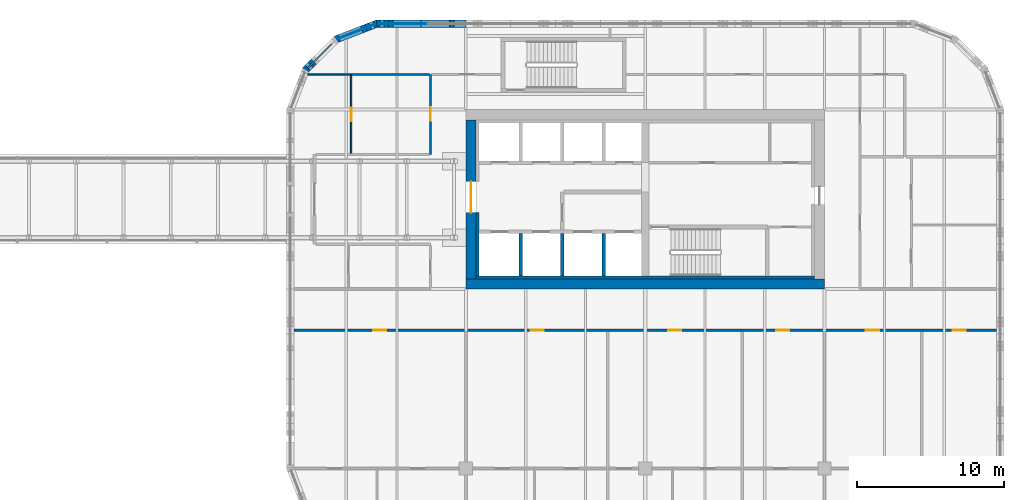
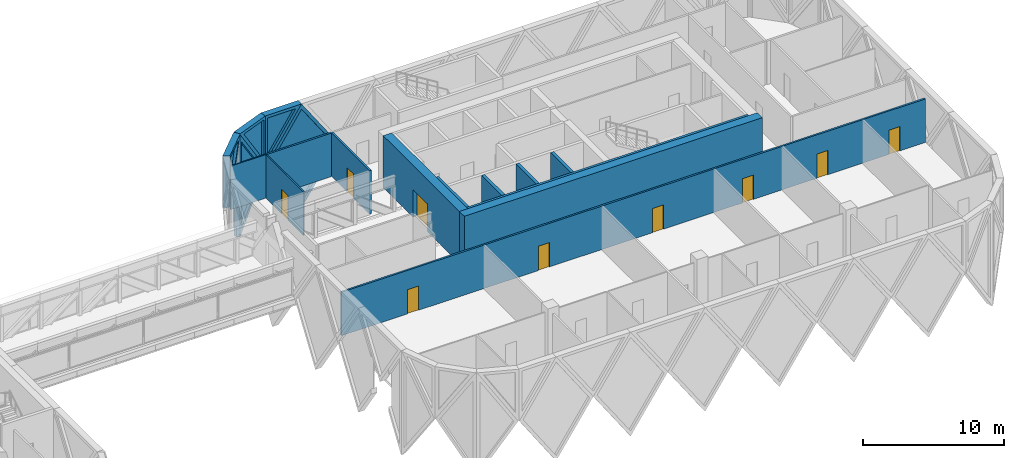
# One storey, part 23 of 30: 17 walls, 9 doors, 5 plates, 14 openings.
"""IFC4 building model written with IfcOpenShell, lengths in metres."""

import ifcopenshell
import ifcopenshell.guid

model = None  # the IFC model being written
_history = None  # IfcOwnerHistory: only IFC2X3 demands one
_inside = {}  # id of a spatial element -> (the spatial element, [elements in it])
_under = {}  # id of a project, library or spatial element -> (it, [spatial elements below it])
_declared = {}  # id of a project -> (the project, [libraries it declares])
_typed = {}  # id of a type object -> (the type object, [elements of that type])
_made_of = {}  # id of a material, layer set ... -> (it, [elements and type objects made of it])


def new_model(schema):
    """Start an empty IFC model of exactly this schema.

    Asked for "IFC4X3", IfcOpenShell would pick the latest addendum, in which some entities
    have other attributes; the version numbers below select the first issue.
    IFC2X3 requires an IfcOwnerHistory on every rooted entity: one is made here for all.
    """
    global model, _history
    if schema == "IFC4X3":
        model = ifcopenshell.file(schema_version=(4, 3, 0, 0))
    else:
        model = ifcopenshell.file(schema=schema)
    _inside.clear()
    _under.clear()
    _declared.clear()
    _typed.clear()
    _made_of.clear()
    _history = None
    if model.schema == "IFC2X3":
        org = make("IfcOrganization", Name="unknown")
        user = make(
            "IfcPersonAndOrganization",
            ThePerson=make("IfcPerson", FamilyName="unknown"),
            TheOrganization=org,
        )
        app = make(
            "IfcApplication",
            ApplicationDeveloper=org,
            Version="unknown",
            ApplicationFullName="unknown",
            ApplicationIdentifier="unknown",
        )
        _history = make(
            "IfcOwnerHistory",
            OwningUser=user,
            OwningApplication=app,
            ChangeAction="ADDED",
            CreationDate=0,
        )
    return model


def make(cls, **values):
    """One entity of the class cls with the attributes given. An attribute that is None is left unset."""
    return model.create_entity(
        cls, **{name: value for name, value in values.items() if value is not None}
    )


def rooted(cls, **values):
    """An entity with a GlobalId (a new one), such as an element, a storey or a relation."""
    return make(cls, GlobalId=ifcopenshell.guid.new(), OwnerHistory=_history, **values)


def si_unit(unit_type, name, prefix=None):
    """IfcSIUnit, for example si_unit("LENGTHUNIT", "METRE", prefix="MILLI")."""
    return make("IfcSIUnit", UnitType=unit_type, Prefix=prefix, Name=name)


def assignment(units):
    """IfcUnitAssignment: the units of a project."""
    return None if units is None else make("IfcUnitAssignment", Units=units)


def point(xyz):
    """IfcCartesianPoint."""
    return None if xyz is None else make("IfcCartesianPoint", Coordinates=xyz)


def direction(xyz):
    """IfcDirection."""
    return None if xyz is None else make("IfcDirection", DirectionRatios=xyz)


def frame(location, z_axis=None, x_axis=None):
    """IfcAxis2Placement3D, a coordinate frame: its origin and axes. An axis left out is left unset."""
    return make(
        "IfcAxis2Placement3D",
        Location=point(location),
        Axis=direction(z_axis),
        RefDirection=direction(x_axis),
    )


def frame_2d(location, x_axis=None):
    """IfcAxis2Placement2D, a coordinate frame in the plane: its origin and x axis."""
    return make(
        "IfcAxis2Placement2D", Location=point(location), RefDirection=direction(x_axis)
    )


def origin():
    """The frame at (0, 0, 0) with its axes left unset."""
    return frame((0.0, 0.0, 0.0))


def place(relative_to, where):
    """IfcLocalPlacement: puts the frame where relative to a parent placement (None: the world)."""
    return make(
        "IfcLocalPlacement", PlacementRelTo=relative_to, RelativePlacement=where
    )


def context(
    kind, dimensions, precision=None, world=None, true_north=None, identifier=None
):
    """IfcGeometricRepresentationContext, for example the 3D "Model" context."""
    return make(
        "IfcGeometricRepresentationContext",
        ContextIdentifier=identifier,
        ContextType=kind,
        CoordinateSpaceDimension=dimensions,
        Precision=precision,
        WorldCoordinateSystem=world,
        TrueNorth=true_north,
    )


def subcontext(parent, identifier, kind, view, scale=None):
    """IfcGeometricRepresentationSubContext, for example "Body" below "Model"."""
    return make(
        "IfcGeometricRepresentationSubContext",
        ContextIdentifier=identifier,
        ContextType=kind,
        ParentContext=parent,
        TargetScale=scale,
        TargetView=view,
    )


def project(units=None, contexts=None):
    """IfcProject with its units and contexts."""
    return rooted(
        "IfcProject",
        Name="project",
        RepresentationContexts=contexts,
        UnitsInContext=assignment(units),
    )


def spatial(cls, under=None, at=None, **own):
    """A site, building, storey or space (cls), placed at a placement, below another one or the project."""
    s = rooted(cls, ObjectPlacement=at, **own)
    if under is not None:
        _under.setdefault(under.id(), (under, []))[1].append(s)
    return s


def polyline(points):
    """IfcPolyline through the points."""
    return make("IfcPolyline", Points=[point(p) for p in points])


def profile(cls, at=None, kind="AREA", **sizes):
    """A parametric profile (cls). Its sizes go by their IFC names, for example OverallWidth=200.0."""
    return make(cls, ProfileType=kind, Position=at, **sizes)


def rectangle(**sizes):
    """IfcRectangleProfileDef."""
    return profile("IfcRectangleProfileDef", **sizes)


def outline(outer, holes=None, kind="AREA"):
    """IfcArbitraryClosedProfileDef: a profile drawn as a closed curve; with holes, ...WithVoids."""
    if holes is None:
        return make("IfcArbitraryClosedProfileDef", ProfileType=kind, OuterCurve=outer)
    return make(
        "IfcArbitraryProfileDefWithVoids",
        ProfileType=kind,
        OuterCurve=outer,
        InnerCurves=holes,
    )


def extrude(swept, where, along, depth):
    """IfcExtrudedAreaSolid: the profile swept, set in the frame where, extruded along a direction by depth."""
    return make(
        "IfcExtrudedAreaSolid",
        SweptArea=swept,
        Position=where,
        ExtrudedDirection=direction(along),
        Depth=depth,
    )


def faces_of(points, faces, orient=None, outer=None):
    """IfcFace entities. A face is a list of loops; a loop is a list of indices into points, from 0.

    orient and outer hold one flag for each loop. By default every Orientation is true, the
    first loop of a face is its IfcFaceOuterBound and the others are IfcFaceBound.
    """
    made = []
    for i, loops in enumerate(faces):
        bounds = []
        for j, loop in enumerate(loops):
            is_outer = j == 0 if outer is None else outer[i][j]
            bounds.append(
                make(
                    "IfcFaceOuterBound" if is_outer else "IfcFaceBound",
                    Bound=make("IfcPolyLoop", Polygon=[points[k] for k in loop]),
                    Orientation=True if orient is None else orient[i][j],
                )
            )
        made.append(make("IfcFace", Bounds=bounds))
    return made


def faceted_brep(points, faces, orient=None, outer=None, voids=None):
    """IfcFacetedBrep: a solid bounded by flat faces; with voids (closed shells), ...WithVoids."""
    shared = [point(p) for p in points]
    hull = make("IfcClosedShell", CfsFaces=faces_of(shared, faces, orient, outer))
    if voids is None:
        return make("IfcFacetedBrep", Outer=hull)
    return make(
        "IfcFacetedBrepWithVoids",
        Outer=hull,
        Voids=[
            make(cls, CfsFaces=faces_of(shared, fs, o, b)) for cls, fs, o, b in voids
        ],
    )


def shape(context_of_items, identifier, shape_type, items):
    """IfcShapeRepresentation: the items that make up one representation, for example the "Body"."""
    return make(
        "IfcShapeRepresentation",
        ContextOfItems=context_of_items,
        RepresentationIdentifier=identifier,
        RepresentationType=shape_type,
        Items=items,
    )


def source(mapping_origin, context_of_items, identifier, shape_type, items):
    """IfcRepresentationMap: a shape defined once, which mapped items show again and again."""
    return make(
        "IfcRepresentationMap",
        MappingOrigin=mapping_origin,
        MappedRepresentation=shape(context_of_items, identifier, shape_type, items),
    )


def transform(
    local_origin,
    x_axis=None,
    y_axis=None,
    z_axis=None,
    scale=None,
    scale2=None,
    scale3=None,
    uniform=True,
):
    """IfcCartesianTransformationOperator3D, or its non-uniform kind. x_axis, y_axis, z_axis: its Axis1, 2, 3."""
    if uniform:
        return make(
            "IfcCartesianTransformationOperator3D",
            Axis1=direction(x_axis),
            Axis2=direction(y_axis),
            LocalOrigin=point(local_origin),
            Scale=scale,
            Axis3=direction(z_axis),
        )
    return make(
        "IfcCartesianTransformationOperator3DnonUniform",
        Axis1=direction(x_axis),
        Axis2=direction(y_axis),
        LocalOrigin=point(local_origin),
        Scale=scale,
        Axis3=direction(z_axis),
        Scale2=scale2,
        Scale3=scale3,
    )


def mapped(mapping_source, mapping_target):
    """IfcMappedItem: shows the shape of a source again, moved by a transform."""
    return make(
        "IfcMappedItem", MappingSource=mapping_source, MappingTarget=mapping_target
    )


def material(Name=None, Category=None):
    """IfcMaterial."""
    return make("IfcMaterial", Name=Name, Category=Category)


def layer(
    of_material, thickness, ventilated=None, Name=None, Category=None, Priority=None
):
    """IfcMaterialLayer: one layer of a wall or slab, of a material (None: an air gap)."""
    return make(
        "IfcMaterialLayer",
        Material=of_material,
        LayerThickness=thickness,
        IsVentilated=ventilated,
        Name=Name,
        Category=Category,
        Priority=Priority,
    )


def layer_set(layers, Name=None):
    """IfcMaterialLayerSet."""
    return make("IfcMaterialLayerSet", MaterialLayers=layers, LayerSetName=Name)


def made_of(thing, what):
    """Note that an element or type object is made of a material, layer set ...; save() writes the relation."""
    if what is not None:
        _made_of.setdefault(what.id(), (what, []))[1].append(thing)
    return thing


def type_object(cls, material=None, **own):
    """A type object (cls), such as IfcWallType, which elements share."""
    return made_of(rooted(cls, **own), material)


def element(
    cls,
    number,
    at=None,
    inside=None,
    cuts=None,
    type_object=None,
    material=None,
    context=None,
    identifier="Body",
    shape_type=None,
    held_by="IfcProductDefinitionShape",
    body=None,
    shapes=None,
    **own,
):
    """One element of the class cls, such as IfcWall. Its Tag is "e" and its number.

    at: its placement. inside: the storey or other place that contains it. cuts: it is an
    opening in that element (IfcRelVoidsElement). A single representation is given by context,
    identifier, shape_type and body (its items); several are given by shapes. held_by: the class
    of the entity that holds the representations. save() writes the other relations.
    """
    e = rooted(cls, Tag="e%d" % number, ObjectPlacement=at, **own)
    if body is not None:
        shapes = [shape(context, identifier, shape_type, body)]
    if shapes is not None:
        e.Representation = make(held_by, Representations=shapes)
    if inside is not None:
        _inside.setdefault(inside.id(), (inside, []))[1].append(e)
    if cuts is not None:
        rooted(
            "IfcRelVoidsElement", RelatingBuildingElement=cuts, RelatedOpeningElement=e
        )
    if type_object is not None:
        _typed.setdefault(type_object.id(), (type_object, []))[1].append(e)
    return made_of(e, material)


def fill(opening, filler):
    """IfcRelFillsElement: the door or window that sits in an opening."""
    return rooted(
        "IfcRelFillsElement",
        RelatingOpeningElement=opening,
        RelatedBuildingElement=filler,
    )


def aggregate(whole, parts):
    """IfcRelAggregates: a whole, such as a stair, and the parts it consists of."""
    return rooted("IfcRelAggregates", RelatingObject=whole, RelatedObjects=parts)


def save(model, path):
    """Write the relations noted so far, then the file.

    IfcRelAggregates (storeys below a building ...), IfcRelContainedInSpatialStructure (elements
    in a storey), IfcRelDefinesByType, IfcRelAssociatesMaterial and IfcRelDeclares: one each for
    every whole, place, type object, material and project.
    """
    for whole, parts in _under.values():
        aggregate(whole, parts)
    for where, things in _inside.values():
        rooted(
            "IfcRelContainedInSpatialStructure",
            RelatedElements=things,
            RelatingStructure=where,
        )
    for kind, things in _typed.values():
        rooted("IfcRelDefinesByType", RelatedObjects=things, RelatingType=kind)
    for what, things in _made_of.values():
        rooted("IfcRelAssociatesMaterial", RelatedObjects=things, RelatingMaterial=what)
    for by, libraries in _declared.values():
        rooted("IfcRelDeclares", RelatingContext=by, RelatedDefinitions=libraries)
    model.write(path)


model = new_model("IFC4")

# Units and contexts
model_context = context("Model", 3, precision=1e-05, world=origin(), true_north=direction((0.0, 1.0)))
body_context = subcontext(model_context, "Body", "Model", "MODEL_VIEW")
ifc_project = project(units=[si_unit("LENGTHUNIT", "METRE"), si_unit("AREAUNIT", "SQUARE_METRE"), si_unit("VOLUMEUNIT", "CUBIC_METRE"), si_unit("PLANEANGLEUNIT", "RADIAN"), si_unit("MASSUNIT", "GRAM", prefix="KILO")], contexts=[model_context])

# Site, building, storey
site_placement = place(None, origin())
site = spatial("IfcSite", under=ifc_project, at=site_placement, CompositionType="ELEMENT")
building_placement = place(site_placement, origin())
building = spatial("IfcBuilding", under=site, at=building_placement, Name="Tessera Gate Towers", CompositionType="ELEMENT")
storey_placement = place(building_placement, frame((0.0, 0.0, 21.300048828125)))
storey = spatial("IfcBuildingStorey", under=building, at=storey_placement, Name="L04", CompositionType="ELEMENT", Elevation=21.300048828125)

# Walls
ifc_material_1 = material(Name="Concrete C40/50", Category="concrete")
ifc_layer_1 = layer(ifc_material_1, 0.25)
ifc_layer_set_1 = layer_set([ifc_layer_1], Name="CORE ENCLOSURE WALL 250")
wall_type_1 = type_object("IfcWallType", Name="CORE ENCLOSURE WALL 250", PredefinedType="SOLIDWALL", material=ifc_layer_set_1)
for number, where, z_axis, x_axis, name in (
    (1, (104.14990234375, 37.5, 0.0), (0.0, 0.0, 1.0), (0.0, 1.0, 0.0), "L04 shaft and stair enclosure wall"),
    (2, (101.324951171875, 37.5, 0.0), (0.0, 0.0, 1.0), (0.0, 1.0, 0.0), "L04 shaft and stair enclosure wall"),
    (3, (106.97509765625, 37.5, 0.0), (0.0, 0.0, 1.0), (0.0, 1.0, 0.0), "L04 shaft and stair enclosure wall"),
):
    element("IfcWall", number, at=place(storey_placement, frame(where, z_axis=z_axis, x_axis=x_axis)), inside=storey, type_object=wall_type_1, Name=name, PredefinedType="SOLIDWALL", context=body_context, shape_type="SweptSolid", body=[
        extrude(rectangle(XDim=2.875, YDim=0.25, at=frame_2d((1.4375, 0.0))), origin(), (0.0, 0.0, 1.0), 4.5),
    ])
ifc_material_2 = material(Name="Concrete C60/75", Category="concrete")
ifc_layer_2 = layer(ifc_material_2, 0.699951171875)
ifc_layer_set_2 = layer_set([ifc_layer_2], Name="CORE SHEAR WALL 700 C60/75")
wall_type_2 = type_object("IfcWallType", Name="CORE SHEAR WALL 700 C60/75", PredefinedType="SHEAR", material=ifc_layer_set_2)
wall_1_placement = place(storey_placement, frame((122.0, 36.949951171875, 0.0), z_axis=(0.0, 0.0, 1.0), x_axis=(-1.0, 0.0, 0.0)))
element("IfcWall", 4, at=wall_1_placement, inside=storey, type_object=wall_type_2, Name="Core wall S L04", PredefinedType="SHEAR", context=body_context, shape_type="SweptSolid", body=[
    extrude(rectangle(XDim=24.39990234375, YDim=0.699951171875, at=frame_2d((12.199951171875, 0.0))), origin(), (0.0, 0.0, 1.0), 4.5),
])

# Wall, opening, door
wall_2_placement = place(storey_placement, frame((97.949951171875, 37.300048828125, 0.0), z_axis=(0.0, 0.0, 1.0), x_axis=(0.0, 1.0, 0.0)))
wall_2 = element("IfcWall", 5, at=wall_2_placement, inside=storey, type_object=wall_type_2, Name="Core wall W L04", PredefinedType="SHEAR", context=body_context, shape_type="SweptSolid", body=[
    extrude(rectangle(XDim=10.800048828125, YDim=0.699951171875, at=frame_2d((5.39990234375, 0.0))), origin(), (0.0, 0.0, 1.0), 4.5),
])
shared_shape_1 = source(origin(), body_context, "Body", "SweptSolid", [
    extrude(rectangle(XDim=2.10009765625, YDim=2.39990234375, at=frame_2d((1.050048828125, 1.199951171875))), frame((0.0, 0.35986328125, 0.0), z_axis=(0.0, -1.0, 0.0), x_axis=(1.0, 0.0, 0.0)), (0.0, 0.0, 1.0), 0.719970703125),
])
opening_1_placement = place(wall_2_placement, frame((4.5, 0.0, 0.0)))
opening_1 = element("IfcOpeningElement", 6, at=opening_1_placement, cuts=wall_2, Name="Opening DD-T2-05-01", PredefinedType="OPENING", context=body_context, shape_type="MappedRepresentation", body=[
    mapped(shared_shape_1, transform((0.0, 0.0, 0.0), scale=1.0)),
])
ifc_material_3 = material(Name="Hollow steel fire door", Category="steel")
door_type_1 = type_object("IfcDoorType", Name="CORE DOOR DD 2100x2400", OperationType="NOTDEFINED", PredefinedType="DOOR", material=ifc_material_3)
shared_shape_2 = source(origin(), body_context, "Body", "SweptSolid", [
    extrude(rectangle(XDim=2.10009765625, YDim=2.39990234375, at=frame_2d((1.050048828125, 1.199951171875))), frame((0.0, 0.02490234375, 0.0), z_axis=(0.0, -1.0, 0.0), x_axis=(1.0, 0.0, 0.0)), (0.0, 0.0, 1.0), 0.050048828125),
])
door_1_placement = place(opening_1_placement, origin())
door_1 = element("IfcDoor", 7, at=door_1_placement, inside=storey, type_object=door_type_1, Name="Core entrance door", OperationType="DOUBLE_DOOR_SINGLE_SWING", OverallHeight=2.39990234375, OverallWidth=2.10009765625, PredefinedType="DOOR", context=body_context, shape_type="MappedRepresentation", body=[
    mapped(shared_shape_2, transform((0.0, 0.0, 0.0), scale=1.0)),
])
fill(opening_1, door_1)

# Walls
ifc_material_4 = material(Name="Concrete C60/75", Category="concrete")
ifc_layer_3 = layer(ifc_material_4, 0.199951171875)
ifc_layer_set_3 = layer_set([ifc_layer_3], Name="CORE WALL THICKENING 200")
wall_type_3 = type_object("IfcWallType", Name="CORE WALL THICKENING 200", PredefinedType="SOLIDWALL", material=ifc_layer_set_3)
wall_3_placement = place(storey_placement, frame((98.300048828125, 37.39990234375, 0.0), z_axis=(0.0, 0.0, 1.0), x_axis=(1.0, 0.0, 0.0)))
element("IfcWall", 8, at=wall_3_placement, inside=storey, type_object=wall_type_3, Name="Core wall thickening S L04", PredefinedType="SOLIDWALL", context=body_context, shape_type="SweptSolid", body=[
    extrude(rectangle(XDim=23.0, YDim=0.199951171875, at=frame_2d((11.5, 0.0))), origin(), (0.0, 0.0, 1.0), 4.5),
])
wall_4_placement = place(storey_placement, frame((98.39990234375, 37.5, 0.0), z_axis=(0.0, 0.0, 1.0), x_axis=(0.0, 1.0, 0.0)))
element("IfcWall", 9, at=wall_4_placement, inside=storey, type_object=wall_type_3, Name="Core wall thickening W L04", PredefinedType="SOLIDWALL", context=body_context, shape_type="SweptSolid", body=[
    extrude(rectangle(XDim=4.300048828125, YDim=0.199951171875, at=frame_2d((2.14990234375, 0.0))), origin(), (0.0, 0.0, 1.0), 4.5),
])

# Wall, openings, doors
ifc_material_5 = material(Name="Gypsum board on steel studs, mineral wool", Category="steel")
ifc_layer_4 = layer(ifc_material_5, 0.14990234375)
ifc_layer_set_4 = layer_set([ifc_layer_4], Name="CORRIDOR WALL 150")
wall_type_4 = type_object("IfcWallType", Name="CORRIDOR WALL 150", PredefinedType="PARTITIONING", material=ifc_layer_set_4)
wall_5_placement = place(storey_placement, frame((133.699951171875, 33.800048828125, 0.0), z_axis=(0.0, 0.0, 1.0), x_axis=(-1.0, 0.0, 0.0)))
wall_5 = element("IfcWall", 10, at=wall_5_placement, inside=storey, type_object=wall_type_4, Name="T2-L04-PW-023", PredefinedType="PARTITIONING", context=body_context, shape_type="SweptSolid", body=[
    extrude(rectangle(XDim=47.800048828125, YDim=0.14990234375, at=frame_2d((23.89990234375, 0.0))), origin(), (0.0, 0.0, 1.0), 3.766845703125),
])
shared_shape_3 = source(origin(), body_context, "Body", "SweptSolid", [
    extrude(rectangle(XDim=0.89990234375, YDim=2.10009765625, at=frame_2d((0.449951171875, 1.050048828125))), frame((0.0, 0.0849609375, 0.0), z_axis=(0.0, -1.0, 0.0), x_axis=(1.0, 0.0, 0.0)), (0.0, 0.0, 1.0), 0.169921875),
])
opening_2_placement = place(wall_5_placement, frame((2.09912109375, 0.0, 0.0)))
opening_2 = element("IfcOpeningElement", 11, at=opening_2_placement, cuts=wall_5, Name="Opening D890FD60-B02-01", PredefinedType="OPENING", context=body_context, shape_type="MappedRepresentation", body=[
    mapped(shared_shape_3, transform((0.0, 0.0, 0.0), scale=1.0)),
])
opening_3_placement = place(wall_5_placement, frame((14.09912109375, 0.0, 0.0)))
opening_3 = element("IfcOpeningElement", 12, at=opening_3_placement, cuts=wall_5, Name="Opening D890FD60-B02-03", PredefinedType="OPENING", context=body_context, shape_type="MappedRepresentation", body=[
    mapped(shared_shape_3, transform((0.0, 0.0, 0.0), scale=1.0)),
])
opening_4_placement = place(wall_5_placement, frame((8.0, 0.0, 0.0)))
opening_4 = element("IfcOpeningElement", 13, at=opening_4_placement, cuts=wall_5, Name="Opening D890FD60-B02-04", PredefinedType="OPENING", context=body_context, shape_type="MappedRepresentation", body=[
    mapped(shared_shape_3, transform((0.0, 0.0, 0.0), scale=1.0)),
])
opening_5_placement = place(wall_5_placement, frame((21.448974609375, 0.0, 0.0)))
opening_5 = element("IfcOpeningElement", 14, at=opening_5_placement, cuts=wall_5, Name="Opening D890FD60-B02-06", PredefinedType="OPENING", context=body_context, shape_type="MappedRepresentation", body=[
    mapped(shared_shape_3, transform((0.0, 0.0, 0.0), scale=1.0)),
])
opening_6_placement = place(wall_5_placement, frame((30.799072265625, 0.0, 0.0)))
opening_6 = element("IfcOpeningElement", 15, at=opening_6_placement, cuts=wall_5, Name="Opening D890FD60-B02-07", PredefinedType="OPENING", context=body_context, shape_type="MappedRepresentation", body=[
    mapped(shared_shape_3, transform((0.0, 0.0, 0.0), scale=1.0)),
])
opening_7_placement = place(wall_5_placement, frame((41.5, 0.0, 0.0)))
opening_7 = element("IfcOpeningElement", 16, at=opening_7_placement, cuts=wall_5, Name="Opening D890FD60-B02-08", PredefinedType="OPENING", context=body_context, shape_type="MappedRepresentation", body=[
    mapped(shared_shape_3, transform((0.0, 0.0, 0.0), scale=1.0)),
])
ifc_material_6 = material(Name="Timber door leaf in steel frame", Category="steel")
door_type_2 = type_object("IfcDoorType", Name="CORRIDOR DOOR 900 FD60", OperationType="NOTDEFINED", PredefinedType="DOOR", material=ifc_material_6)
shared_shape_4 = source(origin(), body_context, "Body", "SweptSolid", [
    extrude(rectangle(XDim=0.89990234375, YDim=2.10009765625, at=frame_2d((0.449951171875, 1.050048828125))), frame((0.0, 0.02490234375, 0.0), z_axis=(0.0, -1.0, 0.0), x_axis=(1.0, 0.0, 0.0)), (0.0, 0.0, 1.0), 0.050048828125),
])
door_2_placement = place(opening_2_placement, origin())
door_2 = element("IfcDoor", 17, at=door_2_placement, inside=storey, type_object=door_type_2, Name="T2-L04-PD-011", OperationType="SINGLE_SWING_RIGHT", OverallHeight=2.10009765625, OverallWidth=0.89990234375, PredefinedType="DOOR", context=body_context, shape_type="MappedRepresentation", body=[
    mapped(shared_shape_4, transform((0.0, 0.0, 0.0), scale=1.0)),
])
fill(opening_2, door_2)
door_3_placement = place(opening_3_placement, origin())
door_3 = element("IfcDoor", 18, at=door_3_placement, inside=storey, type_object=door_type_2, Name="T2-L04-PD-017", OperationType="SINGLE_SWING_RIGHT", OverallHeight=2.10009765625, OverallWidth=0.89990234375, PredefinedType="DOOR", context=body_context, shape_type="MappedRepresentation", body=[
    mapped(shared_shape_4, transform((0.0, 0.0, 0.0), scale=1.0)),
])
fill(opening_3, door_3)
door_4_placement = place(opening_4_placement, origin())
door_4 = element("IfcDoor", 19, at=door_4_placement, inside=storey, type_object=door_type_2, Name="T2-L04-PD-019", OperationType="SINGLE_SWING_RIGHT", OverallHeight=2.10009765625, OverallWidth=0.89990234375, PredefinedType="DOOR", context=body_context, shape_type="MappedRepresentation", body=[
    mapped(shared_shape_4, transform((0.0, 0.0, 0.0), scale=1.0)),
])
fill(opening_4, door_4)
door_5_placement = place(opening_5_placement, origin())
door_5 = element("IfcDoor", 20, at=door_5_placement, inside=storey, type_object=door_type_2, Name="T2-L04-PD-022", OperationType="SINGLE_SWING_RIGHT", OverallHeight=2.10009765625, OverallWidth=0.89990234375, PredefinedType="DOOR", context=body_context, shape_type="MappedRepresentation", body=[
    mapped(shared_shape_4, transform((0.0, 0.0, 0.0), scale=1.0)),
])
fill(opening_5, door_5)
door_6_placement = place(opening_6_placement, origin())
door_6 = element("IfcDoor", 21, at=door_6_placement, inside=storey, type_object=door_type_2, Name="T2-L04-PD-023", OperationType="SINGLE_SWING_RIGHT", OverallHeight=2.10009765625, OverallWidth=0.89990234375, PredefinedType="DOOR", context=body_context, shape_type="MappedRepresentation", body=[
    mapped(shared_shape_4, transform((0.0, 0.0, 0.0), scale=1.0)),
])
fill(opening_6, door_6)
door_7_placement = place(opening_7_placement, origin())
door_7 = element("IfcDoor", 22, at=door_7_placement, inside=storey, type_object=door_type_2, Name="T2-L04-PD-024", OperationType="SINGLE_SWING_RIGHT", OverallHeight=2.10009765625, OverallWidth=0.89990234375, PredefinedType="DOOR", context=body_context, shape_type="MappedRepresentation", body=[
    mapped(shared_shape_4, transform((0.0, 0.0, 0.0), scale=1.0)),
])
fill(opening_7, door_7)

# Wall, opening, door
wall_6_placement = place(storey_placement, frame((95.199951171875, 45.75, 0.0), z_axis=(0.0, 0.0, 1.0), x_axis=(0.0, 1.0, 0.0)))
wall_6 = element("IfcWall", 23, at=wall_6_placement, inside=storey, type_object=wall_type_4, Name="T2-L04-PW-036", PredefinedType="PARTITIONING", context=body_context, shape_type="SweptSolid", body=[
    extrude(rectangle(XDim=5.449951171875, YDim=0.14990234375, at=frame_2d((2.72509765625, 0.0))), origin(), (0.0, 0.0, 1.0), 3.766845703125),
])
opening_8_placement = place(wall_6_placement, frame((2.300048828125, 0.0, 0.0)))
opening_8 = element("IfcOpeningElement", 24, at=opening_8_placement, cuts=wall_6, Name="Opening D890FD60-B02-02", PredefinedType="OPENING", context=body_context, shape_type="MappedRepresentation", body=[
    mapped(shared_shape_3, transform((0.0, 0.0, 0.0), scale=1.0)),
])
door_8_placement = place(opening_8_placement, origin())
door_8 = element("IfcDoor", 25, at=door_8_placement, inside=storey, type_object=door_type_2, Name="T2-L04-PD-013", OperationType="SINGLE_SWING_LEFT", OverallHeight=2.10009765625, OverallWidth=0.89990234375, PredefinedType="DOOR", context=body_context, shape_type="MappedRepresentation", body=[
    mapped(shared_shape_4, transform((0.0, 0.0, 0.0), scale=1.0)),
])
fill(opening_8, door_8)

ifc_material_7 = material(Name="Glass", Category="glass")
ifc_layer_5 = layer(ifc_material_7, 0.10009765625)
ifc_layer_set_5 = layer_set([ifc_layer_5], Name="GLAZED PARTITION 100")
wall_type_5 = type_object("IfcWallType", Name="GLAZED PARTITION 100", PredefinedType="PARTITIONING", material=ifc_layer_set_5)
wall_7_placement = place(storey_placement, frame((89.800048828125, 45.825927734375, 0.0), z_axis=(0.0, 0.0, 1.0), x_axis=(0.0, 1.0, 0.0)))
wall_7 = element("IfcWall", 26, at=wall_7_placement, inside=storey, type_object=wall_type_5, Name="T2-L04-PW-037", PredefinedType="PARTITIONING", context=body_context, shape_type="SweptSolid", body=[
    extrude(rectangle(XDim=5.298095703125, YDim=0.10009765625, at=frame_2d((2.64892578125, 0.0))), origin(), (0.0, 0.0, 1.0), 3.766845703125),
])
shared_shape_5 = source(origin(), body_context, "Body", "SweptSolid", [
    extrude(rectangle(XDim=0.89990234375, YDim=2.10009765625, at=frame_2d((0.449951171875, 1.050048828125))), frame((0.0, 0.06005859375, 0.0), z_axis=(0.0, -1.0, 0.0), x_axis=(1.0, 0.0, 0.0)), (0.0, 0.0, 1.0), 0.1201171875),
])
opening_9_placement = place(wall_7_placement, frame((2.199951171875, 0.0, 0.0)))
opening_9 = element("IfcOpeningElement", 27, at=opening_9_placement, cuts=wall_7, Name="Opening D690-B02-07", PredefinedType="OPENING", context=body_context, shape_type="MappedRepresentation", body=[
    mapped(shared_shape_5, transform((0.0, 0.0, 0.0), scale=1.0)),
])
ifc_material_8 = material(Name="Glass in aluminium frame", Category="aluminium")
door_type_3 = type_object("IfcDoorType", Name="GLAZED DOOR 900 NOT RATED", OperationType="NOTDEFINED", PredefinedType="DOOR", material=ifc_material_8)
door_9_placement = place(opening_9_placement, origin())
door_9 = element("IfcDoor", 28, at=door_9_placement, inside=storey, type_object=door_type_3, Name="T2-L04-PD-012", OperationType="SINGLE_SWING_LEFT", OverallHeight=2.10009765625, OverallWidth=0.89990234375, PredefinedType="DOOR", context=body_context, shape_type="MappedRepresentation", body=[
    mapped(shared_shape_4, transform((0.0, 0.0, 0.0), scale=1.0)),
])
fill(opening_9, door_9)

# Walls
wall_8_placement = place(storey_placement, frame((86.86181640625, 51.199951171875, 0.0), z_axis=(0.0, 0.0, 1.0), x_axis=(1.0, 0.0, 0.0)))
element("IfcWall", 29, at=wall_8_placement, inside=storey, type_object=wall_type_5, Name="T2-L04-PW-038", PredefinedType="PARTITIONING", context=body_context, shape_type="SweptSolid", body=[
    extrude(rectangle(XDim=2.937255859375, YDim=0.10009765625, at=frame_2d((1.46875, 0.0))), origin(), (0.0, 0.0, 1.0), 3.766845703125),
])
ifc_material_9 = material(Name="Gypsum board on steel studs, mineral wool", Category="steel")
ifc_layer_6 = layer(ifc_material_9, 0.14990234375)
ifc_layer_set_6 = layer_set([ifc_layer_6], Name="TENANCY WALL 150")
wall_type_6 = type_object("IfcWallType", Name="TENANCY WALL 150", PredefinedType="PARTITIONING", material=ifc_layer_set_6)
wall_9_placement = place(storey_placement, frame((89.800048828125, 51.199951171875, 0.0), z_axis=(0.0, 0.0, 1.0), x_axis=(1.0, 0.0, 0.0)))
element("IfcWall", 30, at=wall_9_placement, inside=storey, type_object=wall_type_6, Name="T2-L04-PW-039", PredefinedType="PARTITIONING", context=body_context, shape_type="SweptSolid", body=[
    extrude(rectangle(XDim=5.323974609375, YDim=0.14990234375, at=frame_2d((2.662109375, 0.0))), origin(), (0.0, 0.0, 1.0), 3.766845703125),
])

# Wall, opening, plate
ifc_material_10 = material(Name="Precast concrete C60/75 white", Category="concrete")
ifc_layer_7 = layer(ifc_material_10, 0.5)
ifc_layer_set_7 = layer_set([ifc_layer_7], Name="TS1 tessera")
wall_type_7 = type_object("IfcWallType", Name="TS1 tessera", PredefinedType="SOLIDWALL", material=ifc_layer_set_7)
shared_shape_6 = source(origin(), body_context, "Body", "Brep", [
    faceted_brep([(3.050048828125, -0.25, 0.0), (6.053466796875, -0.25, 4.5), (3.050048828125, -0.25, 9.0), (0.0, -0.25, 4.5), (0.0, 0.25, 4.5), (3.050048828125, 0.25, 9.0), (6.0068359375, 0.25, 4.56982421875), (6.0068359375, 0.25, 4.43017578125), (3.050048828125, 0.25, 0.0), (6.053466796875, 0.0, 4.5)], [[[0, 1, 2, 3]], [[4, 5, 6, 7, 8]], [[8, 7, 9, 1, 0]], [[6, 5, 2, 1, 9]], [[5, 4, 3, 2]], [[4, 8, 0, 3]], [[9, 7, 6]]]),
])
wall_10_placement = place(storey_placement, frame((97.60009765625, 54.64990234375, -4.5), z_axis=(0.0, 0.0, 1.0), x_axis=(-1.0, 0.0, 0.0)))
wall_10 = element("IfcWall", 31, at=wall_10_placement, inside=storey, type_object=wall_type_7, Name="Precast tessera T2 TS1-0015", PredefinedType="SOLIDWALL", context=body_context, shape_type="MappedRepresentation", body=[
    mapped(shared_shape_6, transform((0.0, 0.0, 0.0), scale=1.0)),
])
shared_shape_7 = source(origin(), body_context, "Body", "SweptSolid", [
    extrude(outline(polyline([(3.04833984375, 0.447998046875), (5.7529296875, 4.5), (3.04833984375, 8.552001953125), (0.302001953125, 4.5), (3.04833984375, 0.447998046875)])), frame((0.0, 0.260009765625, 0.0), z_axis=(0.0, -1.0, 0.0), x_axis=(1.0, 0.0, 0.0)), (0.0, 0.0, 1.0), 0.52001953125),
])
opening_10_placement = place(wall_10_placement, origin())
opening_10 = element("IfcOpeningElement", 32, at=opening_10_placement, cuts=wall_10, Name="Opening T2-PL2-0023", PredefinedType="OPENING", context=body_context, shape_type="MappedRepresentation", body=[
    mapped(shared_shape_7, transform((0.0, 0.0, 0.0), scale=1.0)),
])
ifc_material_11 = material(Name="Low-e laminated glass", Category="glass")
ifc_layer_8 = layer(ifc_material_11, 0.06005859375)
ifc_layer_set_8 = layer_set([ifc_layer_8], Name="PL2 rhombic pane")
plate_type_1 = type_object("IfcPlateType", Name="PL2 rhombic pane", PredefinedType="SHEET", material=ifc_layer_set_8)
shared_shape_8 = source(origin(), body_context, "Body", "SweptSolid", [
    extrude(outline(polyline([(3.04833984375, 0.447998046875), (5.7529296875, 4.5), (3.04833984375, 8.552001953125), (0.302001953125, 4.5), (3.04833984375, 0.447998046875)])), frame((0.0, 0.030029296875, 0.0), z_axis=(0.0, -1.0, 0.0), x_axis=(1.0, 0.0, 0.0)), (0.0, 0.0, 1.0), 0.06005859375),
])
plate_1_placement = place(opening_10_placement, origin())
plate_1 = element("IfcPlate", 33, at=plate_1_placement, inside=storey, type_object=plate_type_1, Name="Glass pane T2 PL2-0023", PredefinedType="SHEET", context=body_context, shape_type="MappedRepresentation", body=[
    mapped(shared_shape_8, transform((0.0, 0.0, 0.0), scale=1.0)),
])
fill(opening_10, plate_1)

ifc_material_12 = material(Name="Precast concrete C60/75 white", Category="concrete")
ifc_layer_9 = layer(ifc_material_12, 0.5)
ifc_layer_set_9 = layer_set([ifc_layer_9], Name="TS3 corner tessera")
wall_type_8 = type_object("IfcWallType", Name="TS3 corner tessera", PredefinedType="SOLIDWALL", material=ifc_layer_set_9)
shared_shape_9 = source(origin(), body_context, "Body", "Brep", [
    faceted_brep([(2.950439453125, -0.25, 0.0), (3.00341796875, -0.25, 0.0810546875), (3.00341796875, -0.25, 8.9189453125), (2.950439453125, -0.25, 9.0), (0.0, -0.25, 4.5), (0.046630859375, 0.25, 4.571044921875), (2.897705078125, 0.25, 8.91943359375), (2.897705078125, 0.25, 0.08056640625), (0.046630859375, 0.25, 4.428955078125), (2.950439453125, 0.00048828125, 0.0), (2.950439453125, 0.00048828125, 9.0), (0.0, 0.0, 4.5)], [[[0, 1, 2, 3, 4]], [[5, 6, 7, 8]], [[1, 0, 9]], [[10, 3, 2]], [[6, 5, 11, 4, 3, 10]], [[8, 7, 9, 0, 4, 11]], [[8, 11, 5]], [[1, 9, 7, 6, 10, 2]]]),
])
wall_11_placement = place(storey_placement, frame((91.546630859375, 54.64990234375, -4.5), z_axis=(0.0, 0.0, 1.0), x_axis=(-0.933007896601, -0.359855894603, 0.0)))
wall_11 = element("IfcWall", 34, at=wall_11_placement, inside=storey, type_object=wall_type_8, Name="Precast corner tessera T2 TS3-0025", PredefinedType="SOLIDWALL", context=body_context, shape_type="MappedRepresentation", body=[
    mapped(shared_shape_9, transform((0.0, 0.0, 0.0), scale=1.0)),
])
shared_shape_10 = source(origin(), body_context, "Body", "SweptSolid", [
    extrude(outline(polyline([(2.75048828125, 8.239013671875), (0.298828125, 4.5), (2.75048828125, 0.760986328125), (2.75048828125, 8.239013671875)])), frame((0.0, 0.260009765625, 0.0), z_axis=(0.0, -1.0, 0.0), x_axis=(1.0, 0.0, 0.0)), (0.0, 0.0, 1.0), 0.52001953125),
])
opening_11_placement = place(wall_11_placement, origin())
opening_11 = element("IfcOpeningElement", 35, at=opening_11_placement, cuts=wall_11, Name="Opening T2-PL2-0024", PredefinedType="OPENING", context=body_context, shape_type="MappedRepresentation", body=[
    mapped(shared_shape_10, transform((0.0, 0.0, 0.0), scale=1.0)),
])
shared_shape_11 = source(origin(), body_context, "Body", "SweptSolid", [
    extrude(outline(polyline([(2.75048828125, 8.239013671875), (0.298828125, 4.5), (2.75048828125, 0.760986328125), (2.75048828125, 8.239013671875)])), frame((0.0, 0.030029296875, 0.0), z_axis=(0.0, -1.0, 0.0), x_axis=(1.0, 0.0, 0.0)), (0.0, 0.0, 1.0), 0.06005859375),
])
plate_2_placement = place(opening_11_placement, origin())
plate_2 = element("IfcPlate", 36, at=plate_2_placement, inside=storey, type_object=plate_type_1, Name="Glass pane T2 PL2-0024", PredefinedType="SHEET", context=body_context, shape_type="MappedRepresentation", body=[
    mapped(shared_shape_11, transform((0.0, 0.0, 0.0), scale=1.0)),
])
fill(opening_11, plate_2)

shared_shape_12 = source(origin(), body_context, "Body", "Brep", [
    faceted_brep([(3.00341796875, -0.25, 0.0), (3.050048828125, -0.25, 0.071044921875), (3.050048828125, -0.25, 4.5), (0.0, -0.25, 4.5), (0.0, 0.25, 4.5), (2.956787109375, 0.25, 4.5), (2.956787109375, 0.25, 0.069580078125), (3.00341796875, 0.000244140625, 0.0)], [[[0, 1, 2, 3]], [[4, 5, 6]], [[1, 0, 7]], [[5, 4, 3, 2]], [[4, 6, 7, 0, 3]], [[1, 7, 6, 5, 2]]]),
])
wall_12_placement = place(storey_placement, frame((94.550048828125, 54.64990234375, 0.0), z_axis=(0.0, 0.0, 1.0), x_axis=(-1.0, 0.0, 0.0)))
wall_12 = element("IfcWall", 37, at=wall_12_placement, inside=storey, type_object=wall_type_8, Name="Precast corner tessera T2 TS3-0043", PredefinedType="SOLIDWALL", context=body_context, shape_type="MappedRepresentation", body=[
    mapped(shared_shape_12, transform((0.0, 0.0, 0.0), scale=1.0)),
])
shared_shape_13 = source(origin(), body_context, "Body", "SweptSolid", [
    extrude(outline(polyline([(2.803466796875, 4.25), (0.467529296875, 4.25), (2.803466796875, 0.75), (2.803466796875, 4.25)])), frame((0.0, 0.260009765625, 0.0), z_axis=(0.0, -1.0, 0.0), x_axis=(1.0, 0.0, 0.0)), (0.0, 0.0, 1.0), 0.52001953125),
])
opening_12_placement = place(wall_12_placement, origin())
opening_12 = element("IfcOpeningElement", 38, at=opening_12_placement, cuts=wall_12, Name="Opening T2-PL1-0058", PredefinedType="OPENING", context=body_context, shape_type="MappedRepresentation", body=[
    mapped(shared_shape_13, transform((0.0, 0.0, 0.0), scale=1.0)),
])
ifc_material_13 = material(Name="Low-e laminated glass", Category="glass")
ifc_layer_10 = layer(ifc_material_13, 0.06005859375)
ifc_layer_set_10 = layer_set([ifc_layer_10], Name="PL1 triangular pane")
plate_type_2 = type_object("IfcPlateType", Name="PL1 triangular pane", PredefinedType="SHEET", material=ifc_layer_set_10)
shared_shape_14 = source(origin(), body_context, "Body", "SweptSolid", [
    extrude(outline(polyline([(2.803466796875, 4.25), (0.467529296875, 4.25), (2.803466796875, 0.75), (2.803466796875, 4.25)])), frame((0.0, 0.030029296875, 0.0), z_axis=(0.0, -1.0, 0.0), x_axis=(1.0, 0.0, 0.0)), (0.0, 0.0, 1.0), 0.06005859375),
])
plate_3_placement = place(opening_12_placement, origin())
plate_3 = element("IfcPlate", 39, at=plate_3_placement, inside=storey, type_object=plate_type_2, Name="Glass pane T2 PL1-0058", PredefinedType="SHEET", context=body_context, shape_type="MappedRepresentation", body=[
    mapped(shared_shape_14, transform((0.0, 0.0, 0.0), scale=1.0)),
])
fill(opening_12, plate_3)

shared_shape_15 = source(origin(), body_context, "Body", "Brep", [
    faceted_brep([(2.944091796875, -0.25, 0.0), (2.9970703125, -0.25, 0.080810546875), (2.9970703125, -0.25, 4.5), (0.0, -0.25, 4.5), (0.052978515625, 0.25, 4.5), (2.89111328125, 0.25, 4.5), (2.89111328125, 0.25, 0.080810546875), (0.052978515625, 0.25, 4.419189453125), (2.944091796875, 0.000244140625, 0.0), (0.0, 0.0, 4.5)], [[[0, 1, 2, 3]], [[4, 5, 6, 7]], [[1, 0, 8]], [[5, 4, 9, 3, 2]], [[7, 6, 8, 0, 3, 9]], [[7, 9, 4]], [[1, 8, 6, 5, 2]]]),
])
wall_13_placement = place(storey_placement, frame((88.793701171875, 53.588134765625, 0.0), z_axis=(0.0, 0.0, 1.0), x_axis=(-0.707066050402, -0.707147509625, 0.0)))
wall_13 = element("IfcWall", 40, at=wall_13_placement, inside=storey, type_object=wall_type_8, Name="Precast corner tessera T2 TS3-0045", PredefinedType="SOLIDWALL", context=body_context, shape_type="MappedRepresentation", body=[
    mapped(shared_shape_15, transform((0.0, 0.0, 0.0), scale=1.0)),
])
shared_shape_16 = source(origin(), body_context, "Body", "SweptSolid", [
    extrude(outline(polyline([(2.744140625, 4.25), (0.46240234375, 4.25), (2.744140625, 0.76220703125), (2.744140625, 4.25)])), frame((0.0, 0.260009765625, 0.0), z_axis=(0.0, -1.0, 0.0), x_axis=(1.0, 0.0, 0.0)), (0.0, 0.0, 1.0), 0.52001953125),
])
opening_13_placement = place(wall_13_placement, origin())
opening_13 = element("IfcOpeningElement", 41, at=opening_13_placement, cuts=wall_13, Name="Opening T2-PL1-0060", PredefinedType="OPENING", context=body_context, shape_type="MappedRepresentation", body=[
    mapped(shared_shape_16, transform((0.0, 0.0, 0.0), scale=1.0)),
])
shared_shape_17 = source(origin(), body_context, "Body", "SweptSolid", [
    extrude(outline(polyline([(2.744140625, 4.25), (0.46240234375, 4.25), (2.744140625, 0.76220703125), (2.744140625, 4.25)])), frame((0.0, 0.030029296875, 0.0), z_axis=(0.0, -1.0, 0.0), x_axis=(1.0, 0.0, 0.0)), (0.0, 0.0, 1.0), 0.06005859375),
])
plate_4_placement = place(opening_13_placement, origin())
plate_4 = element("IfcPlate", 42, at=plate_4_placement, inside=storey, type_object=plate_type_2, Name="Glass pane T2 PL1-0060", PredefinedType="SHEET", context=body_context, shape_type="MappedRepresentation", body=[
    mapped(shared_shape_17, transform((0.0, 0.0, 0.0), scale=1.0)),
])
fill(opening_13, plate_4)

shared_shape_18 = source(origin(), body_context, "Body", "Brep", [
    faceted_brep([(0.046630859375, -0.25, 0.0), (2.9970703125, -0.25, 4.5), (0.0, -0.25, 4.5), (0.0, -0.25, 0.06982421875), (0.09326171875, 0.25, 4.5), (2.9443359375, 0.25, 4.5), (2.9443359375, 0.25, 4.41943359375), (0.09326171875, 0.25, 0.071044921875), (2.9970703125, 0.00048828125, 4.5), (0.046630859375, 0.0, 0.0)], [[[0, 1, 2, 3]], [[4, 5, 6, 7]], [[7, 6, 8, 1, 0, 9]], [[5, 4, 2, 1, 8]], [[9, 0, 3]], [[7, 9, 3, 2, 4]], [[6, 5, 8]]]),
])
wall_14_placement = place(storey_placement, frame((91.590087890625, 54.666748046875, 0.0), z_axis=(0.0, 0.0, 1.0), x_axis=(-0.933000876937, -0.359874094142, 0.0)))
wall_14 = element("IfcWall", 43, at=wall_14_placement, inside=storey, type_object=wall_type_8, Name="Precast corner tessera T2 TS3-0044", PredefinedType="SOLIDWALL", context=body_context, shape_type="MappedRepresentation", body=[
    mapped(shared_shape_18, transform((0.0, 0.0, 0.0), scale=1.0)),
])
shared_shape_19 = source(origin(), body_context, "Body", "SweptSolid", [
    extrude(outline(polyline([(0.24658203125, 0.760986328125), (2.5341796875, 4.25), (0.24658203125, 4.25), (0.24658203125, 0.760986328125)])), frame((0.0, 0.260009765625, 0.0), z_axis=(0.0, -1.0, 0.0), x_axis=(1.0, 0.0, 0.0)), (0.0, 0.0, 1.0), 0.52001953125),
])
opening_14_placement = place(wall_14_placement, origin())
opening_14 = element("IfcOpeningElement", 44, at=opening_14_placement, cuts=wall_14, Name="Opening T2-PL1-0059", PredefinedType="OPENING", context=body_context, shape_type="MappedRepresentation", body=[
    mapped(shared_shape_19, transform((0.0, 0.0, 0.0), scale=1.0)),
])
shared_shape_20 = source(origin(), body_context, "Body", "SweptSolid", [
    extrude(outline(polyline([(0.24658203125, 0.760986328125), (2.5341796875, 4.25), (0.24658203125, 4.25), (0.24658203125, 0.760986328125)])), frame((0.0, 0.030029296875, 0.0), z_axis=(0.0, -1.0, 0.0), x_axis=(1.0, 0.0, 0.0)), (0.0, 0.0, 1.0), 0.06005859375),
])
plate_5_placement = place(opening_14_placement, origin())
plate_5 = element("IfcPlate", 45, at=plate_5_placement, inside=storey, type_object=plate_type_2, Name="Glass pane T2 PL1-0059", PredefinedType="SHEET", context=body_context, shape_type="MappedRepresentation", body=[
    mapped(shared_shape_20, transform((0.0, 0.0, 0.0), scale=1.0)),
])
fill(opening_14, plate_5)

save(model, "model.ifc")
